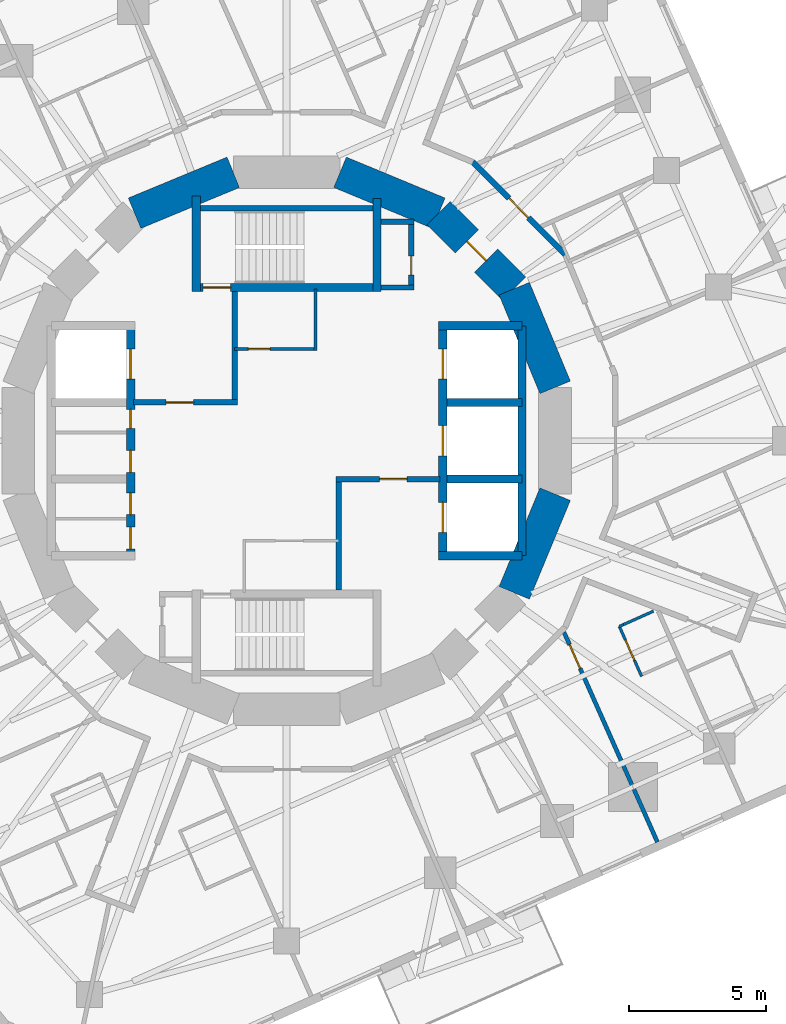
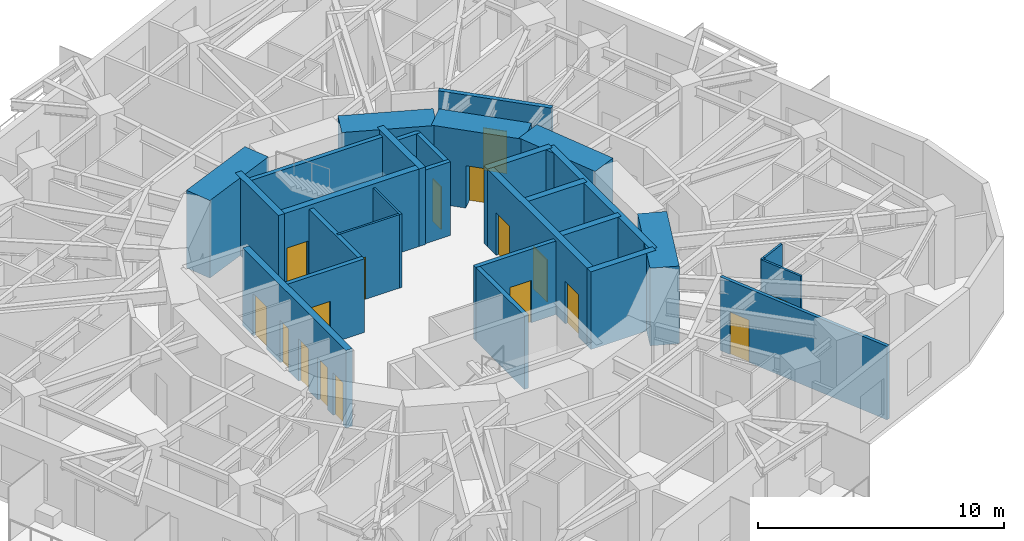
# One storey, part 7 of 12: 30 walls, 17 doors, 17 openings.
"""IFC4 building model written with IfcOpenShell, lengths in metres."""

import ifcopenshell
import ifcopenshell.guid

model = None  # the IFC model being written
_history = None  # IfcOwnerHistory: only IFC2X3 demands one
_inside = {}  # id of a spatial element -> (the spatial element, [elements in it])
_under = {}  # id of a project, library or spatial element -> (it, [spatial elements below it])
_declared = {}  # id of a project -> (the project, [libraries it declares])
_typed = {}  # id of a type object -> (the type object, [elements of that type])
_made_of = {}  # id of a material, layer set ... -> (it, [elements and type objects made of it])


def new_model(schema):
    """Start an empty IFC model of exactly this schema.

    Asked for "IFC4X3", IfcOpenShell would pick the latest addendum, in which some entities
    have other attributes; the version numbers below select the first issue.
    IFC2X3 requires an IfcOwnerHistory on every rooted entity: one is made here for all.
    """
    global model, _history
    if schema == "IFC4X3":
        model = ifcopenshell.file(schema_version=(4, 3, 0, 0))
    else:
        model = ifcopenshell.file(schema=schema)
    _inside.clear()
    _under.clear()
    _declared.clear()
    _typed.clear()
    _made_of.clear()
    _history = None
    if model.schema == "IFC2X3":
        org = make("IfcOrganization", Name="unknown")
        user = make(
            "IfcPersonAndOrganization",
            ThePerson=make("IfcPerson", FamilyName="unknown"),
            TheOrganization=org,
        )
        app = make(
            "IfcApplication",
            ApplicationDeveloper=org,
            Version="unknown",
            ApplicationFullName="unknown",
            ApplicationIdentifier="unknown",
        )
        _history = make(
            "IfcOwnerHistory",
            OwningUser=user,
            OwningApplication=app,
            ChangeAction="ADDED",
            CreationDate=0,
        )
    return model


def make(cls, **values):
    """One entity of the class cls with the attributes given. An attribute that is None is left unset."""
    return model.create_entity(
        cls, **{name: value for name, value in values.items() if value is not None}
    )


def rooted(cls, **values):
    """An entity with a GlobalId (a new one), such as an element, a storey or a relation."""
    return make(cls, GlobalId=ifcopenshell.guid.new(), OwnerHistory=_history, **values)


def si_unit(unit_type, name, prefix=None):
    """IfcSIUnit, for example si_unit("LENGTHUNIT", "METRE", prefix="MILLI")."""
    return make("IfcSIUnit", UnitType=unit_type, Prefix=prefix, Name=name)


def assignment(units):
    """IfcUnitAssignment: the units of a project."""
    return None if units is None else make("IfcUnitAssignment", Units=units)


def point(xyz):
    """IfcCartesianPoint."""
    return None if xyz is None else make("IfcCartesianPoint", Coordinates=xyz)


def direction(xyz):
    """IfcDirection."""
    return None if xyz is None else make("IfcDirection", DirectionRatios=xyz)


def frame(location, z_axis=None, x_axis=None):
    """IfcAxis2Placement3D, a coordinate frame: its origin and axes. An axis left out is left unset."""
    return make(
        "IfcAxis2Placement3D",
        Location=point(location),
        Axis=direction(z_axis),
        RefDirection=direction(x_axis),
    )


def frame_2d(location, x_axis=None):
    """IfcAxis2Placement2D, a coordinate frame in the plane: its origin and x axis."""
    return make(
        "IfcAxis2Placement2D", Location=point(location), RefDirection=direction(x_axis)
    )


def origin():
    """The frame at (0, 0, 0) with its axes left unset."""
    return frame((0.0, 0.0, 0.0))


def place(relative_to, where):
    """IfcLocalPlacement: puts the frame where relative to a parent placement (None: the world)."""
    return make(
        "IfcLocalPlacement", PlacementRelTo=relative_to, RelativePlacement=where
    )


def context(
    kind, dimensions, precision=None, world=None, true_north=None, identifier=None
):
    """IfcGeometricRepresentationContext, for example the 3D "Model" context."""
    return make(
        "IfcGeometricRepresentationContext",
        ContextIdentifier=identifier,
        ContextType=kind,
        CoordinateSpaceDimension=dimensions,
        Precision=precision,
        WorldCoordinateSystem=world,
        TrueNorth=true_north,
    )


def subcontext(parent, identifier, kind, view, scale=None):
    """IfcGeometricRepresentationSubContext, for example "Body" below "Model"."""
    return make(
        "IfcGeometricRepresentationSubContext",
        ContextIdentifier=identifier,
        ContextType=kind,
        ParentContext=parent,
        TargetScale=scale,
        TargetView=view,
    )


def project(units=None, contexts=None):
    """IfcProject with its units and contexts."""
    return rooted(
        "IfcProject",
        Name="project",
        RepresentationContexts=contexts,
        UnitsInContext=assignment(units),
    )


def spatial(cls, under=None, at=None, **own):
    """A site, building, storey or space (cls), placed at a placement, below another one or the project."""
    s = rooted(cls, ObjectPlacement=at, **own)
    if under is not None:
        _under.setdefault(under.id(), (under, []))[1].append(s)
    return s


def profile(cls, at=None, kind="AREA", **sizes):
    """A parametric profile (cls). Its sizes go by their IFC names, for example OverallWidth=200.0."""
    return make(cls, ProfileType=kind, Position=at, **sizes)


def rectangle(**sizes):
    """IfcRectangleProfileDef."""
    return profile("IfcRectangleProfileDef", **sizes)


def extrude(swept, where, along, depth):
    """IfcExtrudedAreaSolid: the profile swept, set in the frame where, extruded along a direction by depth."""
    return make(
        "IfcExtrudedAreaSolid",
        SweptArea=swept,
        Position=where,
        ExtrudedDirection=direction(along),
        Depth=depth,
    )


def shape(context_of_items, identifier, shape_type, items):
    """IfcShapeRepresentation: the items that make up one representation, for example the "Body"."""
    return make(
        "IfcShapeRepresentation",
        ContextOfItems=context_of_items,
        RepresentationIdentifier=identifier,
        RepresentationType=shape_type,
        Items=items,
    )


def material(Name=None, Category=None):
    """IfcMaterial."""
    return make("IfcMaterial", Name=Name, Category=Category)


def layer(
    of_material, thickness, ventilated=None, Name=None, Category=None, Priority=None
):
    """IfcMaterialLayer: one layer of a wall or slab, of a material (None: an air gap)."""
    return make(
        "IfcMaterialLayer",
        Material=of_material,
        LayerThickness=thickness,
        IsVentilated=ventilated,
        Name=Name,
        Category=Category,
        Priority=Priority,
    )


def layer_set(layers, Name=None):
    """IfcMaterialLayerSet."""
    return make("IfcMaterialLayerSet", MaterialLayers=layers, LayerSetName=Name)


def made_of(thing, what):
    """Note that an element or type object is made of a material, layer set ...; save() writes the relation."""
    if what is not None:
        _made_of.setdefault(what.id(), (what, []))[1].append(thing)
    return thing


def type_object(cls, material=None, **own):
    """A type object (cls), such as IfcWallType, which elements share."""
    return made_of(rooted(cls, **own), material)


def element(
    cls,
    number,
    at=None,
    inside=None,
    cuts=None,
    type_object=None,
    material=None,
    context=None,
    identifier="Body",
    shape_type=None,
    held_by="IfcProductDefinitionShape",
    body=None,
    shapes=None,
    **own,
):
    """One element of the class cls, such as IfcWall. Its Tag is "e" and its number.

    at: its placement. inside: the storey or other place that contains it. cuts: it is an
    opening in that element (IfcRelVoidsElement). A single representation is given by context,
    identifier, shape_type and body (its items); several are given by shapes. held_by: the class
    of the entity that holds the representations. save() writes the other relations.
    """
    e = rooted(cls, Tag="e%d" % number, ObjectPlacement=at, **own)
    if body is not None:
        shapes = [shape(context, identifier, shape_type, body)]
    if shapes is not None:
        e.Representation = make(held_by, Representations=shapes)
    if inside is not None:
        _inside.setdefault(inside.id(), (inside, []))[1].append(e)
    if cuts is not None:
        rooted(
            "IfcRelVoidsElement", RelatingBuildingElement=cuts, RelatedOpeningElement=e
        )
    if type_object is not None:
        _typed.setdefault(type_object.id(), (type_object, []))[1].append(e)
    return made_of(e, material)


def fill(opening, filler):
    """IfcRelFillsElement: the door or window that sits in an opening."""
    return rooted(
        "IfcRelFillsElement",
        RelatingOpeningElement=opening,
        RelatedBuildingElement=filler,
    )


def aggregate(whole, parts):
    """IfcRelAggregates: a whole, such as a stair, and the parts it consists of."""
    return rooted("IfcRelAggregates", RelatingObject=whole, RelatedObjects=parts)


def save(model, path):
    """Write the relations noted so far, then the file.

    IfcRelAggregates (storeys below a building ...), IfcRelContainedInSpatialStructure (elements
    in a storey), IfcRelDefinesByType, IfcRelAssociatesMaterial and IfcRelDeclares: one each for
    every whole, place, type object, material and project.
    """
    for whole, parts in _under.values():
        aggregate(whole, parts)
    for where, things in _inside.values():
        rooted(
            "IfcRelContainedInSpatialStructure",
            RelatedElements=things,
            RelatingStructure=where,
        )
    for kind, things in _typed.values():
        rooted("IfcRelDefinesByType", RelatedObjects=things, RelatingType=kind)
    for what, things in _made_of.values():
        rooted("IfcRelAssociatesMaterial", RelatedObjects=things, RelatingMaterial=what)
    for by, libraries in _declared.values():
        rooted("IfcRelDeclares", RelatingContext=by, RelatedDefinitions=libraries)
    model.write(path)


model = new_model("IFC4")

# Units and contexts
model_context = context("Model", 3, precision=1e-05, world=origin(), true_north=direction((0.0, 1.0)))
body_context = subcontext(model_context, "Body", "Model", "MODEL_VIEW")
ifc_project = project(units=[si_unit("LENGTHUNIT", "METRE"), si_unit("AREAUNIT", "SQUARE_METRE"), si_unit("VOLUMEUNIT", "CUBIC_METRE"), si_unit("PLANEANGLEUNIT", "RADIAN"), si_unit("MASSUNIT", "GRAM", prefix="KILO")], contexts=[model_context])

# Site, building, storey
site_placement = place(None, origin())
site = spatial("IfcSite", under=ifc_project, at=site_placement, CompositionType="ELEMENT")
building_placement = place(site_placement, origin())
building = spatial("IfcBuilding", under=site, at=building_placement, Name="Nakasero Lantern House", CompositionType="ELEMENT")
storey_placement = place(building_placement, frame((0.0, 0.0, 186.300048828125)))
storey = spatial("IfcBuildingStorey", under=building, at=storey_placement, Name="L45", CompositionType="ELEMENT", Elevation=186.300048828125)

# Wall, openings, doors
ifc_material_1 = material(Name="Concrete C50/60", Category="concrete")
ifc_layer_1 = layer(ifc_material_1, 0.300048828125)
ifc_layer_set_1 = layer_set([ifc_layer_1], Name="Core inner wall 300")
wall_type_1 = type_object("IfcWallType", Name="Core inner wall 300", PredefinedType="SHEAR", material=ifc_layer_set_1)
wall_1_placement = place(storey_placement, frame((-5.699951171875, -4.199951171875, 0.0), z_axis=(0.0, 0.0, 1.0), x_axis=(0.0, 1.0, 0.0)))
wall_1 = element("IfcWall", 1, at=wall_1_placement, inside=storey, type_object=wall_type_1, Name="Core inner wall L45 LW", PredefinedType="SHEAR", context=body_context, shape_type="SweptSolid", body=[
    extrude(rectangle(XDim=8.39990234375, YDim=0.300048828125, at=frame_2d((4.199951171875, 0.0))), origin(), (0.0, 0.0, 1.0), 3.849853515625),
])
opening_1_placement = place(wall_1_placement, frame((0.25, 0.0, 0.0)))
opening_1 = element("IfcOpeningElement", 2, at=opening_1_placement, cuts=wall_1, Name="Opening D15", PredefinedType="OPENING", context=body_context, shape_type="SweptSolid", body=[
    extrude(rectangle(XDim=0.800048828125, YDim=2.10009765625, at=frame_2d((0.39990234375, 1.050048828125))), frame((0.0, 0.169921875, 0.0), z_axis=(0.0, -1.0, 0.0), x_axis=(1.0, 0.0, 0.0)), (0.0, 0.0, 1.0), 0.340087890625),
])
opening_2_placement = place(wall_1_placement, frame((1.5, 0.0, 0.0)))
opening_2 = element("IfcOpeningElement", 3, at=opening_2_placement, cuts=wall_1, Name="Opening D15", PredefinedType="OPENING", context=body_context, shape_type="SweptSolid", body=[
    extrude(rectangle(XDim=0.800048828125, YDim=2.10009765625, at=frame_2d((0.39990234375, 1.050048828125))), frame((0.0, 0.169921875, 0.0), z_axis=(0.0, -1.0, 0.0), x_axis=(1.0, 0.0, 0.0)), (0.0, 0.0, 1.0), 0.340087890625),
])
opening_3_placement = place(wall_1_placement, frame((3.050048828125, 0.0, 0.0)))
opening_3 = element("IfcOpeningElement", 4, at=opening_3_placement, cuts=wall_1, Name="Opening D15", PredefinedType="OPENING", context=body_context, shape_type="SweptSolid", body=[
    extrude(rectangle(XDim=0.800048828125, YDim=2.10009765625, at=frame_2d((0.39990234375, 1.050048828125))), frame((0.0, 0.169921875, 0.0), z_axis=(0.0, -1.0, 0.0), x_axis=(1.0, 0.0, 0.0)), (0.0, 0.0, 1.0), 0.340087890625),
])
opening_4_placement = place(wall_1_placement, frame((4.64990234375, 0.0, 0.0)))
opening_4 = element("IfcOpeningElement", 5, at=opening_4_placement, cuts=wall_1, Name="Opening D20", PredefinedType="OPENING", context=body_context, shape_type="SweptSolid", body=[
    extrude(rectangle(XDim=0.699951171875, YDim=2.10009765625, at=frame_2d((0.35009765625, 1.050048828125))), frame((0.0, 0.169921875, 0.0), z_axis=(0.0, -1.0, 0.0), x_axis=(1.0, 0.0, 0.0)), (0.0, 0.0, 1.0), 0.340087890625),
])
opening_5_placement = place(wall_1_placement, frame((6.449951171875, 0.0, 0.0)))
opening_5 = element("IfcOpeningElement", 6, at=opening_5_placement, cuts=wall_1, Name="Opening LD", PredefinedType="OPENING", context=body_context, shape_type="SweptSolid", body=[
    extrude(rectangle(XDim=1.10009765625, YDim=2.10009765625, at=frame_2d((0.550048828125, 1.050048828125))), frame((0.0, 0.169921875, 0.0), z_axis=(0.0, -1.0, 0.0), x_axis=(1.0, 0.0, 0.0)), (0.0, 0.0, 1.0), 0.340087890625),
])
ifc_material_2 = material(Name="Timber C24", Category="wood")
door_type_1 = type_object("IfcDoorType", Name="Cleaner's store door FD30S 700", OperationType="SINGLE_SWING_LEFT", PredefinedType="DOOR", material=ifc_material_2)
door_1_placement = place(opening_4_placement, origin())
door_1 = element("IfcDoor", 7, at=door_1_placement, inside=storey, type_object=door_type_1, Name="Door L45 D-SH-LW2b", OperationType="SINGLE_SWING_RIGHT", OverallHeight=2.10009765625, OverallWidth=0.699951171875, PredefinedType="DOOR", context=body_context, shape_type="SweptSolid", body=[
    extrude(rectangle(XDim=0.699951171875, YDim=2.10009765625, at=frame_2d((0.35009765625, 1.050048828125))), frame((0.0, 0.02490234375, 0.0), z_axis=(0.0, -1.0, 0.0), x_axis=(1.0, 0.0, 0.0)), (0.0, 0.0, 1.0), 0.050048828125),
])
fill(opening_4, door_1)
ifc_material_3 = material(Name="Timber C24", Category="wood")
door_type_2 = type_object("IfcDoorType", Name="Cleaner's store door FD30S 800", OperationType="SINGLE_SWING_LEFT", PredefinedType="DOOR", material=ifc_material_3)
door_2_placement = place(opening_1_placement, origin())
door_2 = element("IfcDoor", 8, at=door_2_placement, inside=storey, type_object=door_type_2, Name="Door L45 D-SH-LW1a", OperationType="SINGLE_SWING_LEFT", OverallHeight=2.10009765625, OverallWidth=0.800048828125, PredefinedType="DOOR", context=body_context, shape_type="SweptSolid", body=[
    extrude(rectangle(XDim=0.800048828125, YDim=2.10009765625, at=frame_2d((0.39990234375, 1.050048828125))), frame((0.0, 0.02490234375, 0.0), z_axis=(0.0, -1.0, 0.0), x_axis=(1.0, 0.0, 0.0)), (0.0, 0.0, 1.0), 0.050048828125),
])
fill(opening_1, door_2)
door_3_placement = place(opening_2_placement, origin())
door_3 = element("IfcDoor", 9, at=door_3_placement, inside=storey, type_object=door_type_2, Name="Door L45 D-SH-LW1b", OperationType="SINGLE_SWING_LEFT", OverallHeight=2.10009765625, OverallWidth=0.800048828125, PredefinedType="DOOR", context=body_context, shape_type="SweptSolid", body=[
    extrude(rectangle(XDim=0.800048828125, YDim=2.10009765625, at=frame_2d((0.39990234375, 1.050048828125))), frame((0.0, 0.02490234375, 0.0), z_axis=(0.0, -1.0, 0.0), x_axis=(1.0, 0.0, 0.0)), (0.0, 0.0, 1.0), 0.050048828125),
])
fill(opening_2, door_3)
door_4_placement = place(opening_3_placement, origin())
door_4 = element("IfcDoor", 10, at=door_4_placement, inside=storey, type_object=door_type_2, Name="Door L45 D-SH-LW2a", OperationType="SINGLE_SWING_LEFT", OverallHeight=2.10009765625, OverallWidth=0.800048828125, PredefinedType="DOOR", context=body_context, shape_type="SweptSolid", body=[
    extrude(rectangle(XDim=0.800048828125, YDim=2.10009765625, at=frame_2d((0.39990234375, 1.050048828125))), frame((0.0, 0.02490234375, 0.0), z_axis=(0.0, -1.0, 0.0), x_axis=(1.0, 0.0, 0.0)), (0.0, 0.0, 1.0), 0.050048828125),
])
fill(opening_3, door_4)
ifc_material_4 = material(Name="Steel S355", Category="steel")
door_type_3 = type_object("IfcDoorType", Name="Lift landing door E120 1100", OperationType="SLIDING_TO_LEFT", PredefinedType="DOOR", material=ifc_material_4)
door_5_placement = place(opening_5_placement, origin())
door_5 = element("IfcDoor", 11, at=door_5_placement, inside=storey, type_object=door_type_3, Name="Lift landing door LW3", OperationType="SLIDING_TO_LEFT", OverallHeight=2.10009765625, OverallWidth=1.10009765625, PredefinedType="DOOR", context=body_context, shape_type="SweptSolid", body=[
    extrude(rectangle(XDim=1.10009765625, YDim=2.10009765625, at=frame_2d((0.550048828125, 1.050048828125))), frame((0.0, 0.02490234375, 0.0), z_axis=(0.0, -1.0, 0.0), x_axis=(1.0, 0.0, 0.0)), (0.0, 0.0, 1.0), 0.050048828125),
])
fill(opening_5, door_5)

wall_2_placement = place(storey_placement, frame((5.699951171875, -4.199951171875, 0.0), z_axis=(0.0, 0.0, 1.0), x_axis=(0.0, 1.0, 0.0)))
wall_2 = element("IfcWall", 12, at=wall_2_placement, inside=storey, type_object=wall_type_1, Name="Core inner wall L45 LE", PredefinedType="SHEAR", context=body_context, shape_type="SweptSolid", body=[
    extrude(rectangle(XDim=8.39990234375, YDim=0.300048828125, at=frame_2d((4.199951171875, 0.0))), origin(), (0.0, 0.0, 1.0), 3.849853515625),
])
opening_6_placement = place(wall_2_placement, frame((0.85009765625, 0.0, 0.0)))
opening_6 = element("IfcOpeningElement", 13, at=opening_6_placement, cuts=wall_2, Name="Opening LD", PredefinedType="OPENING", context=body_context, shape_type="SweptSolid", body=[
    extrude(rectangle(XDim=1.10009765625, YDim=2.10009765625, at=frame_2d((0.550048828125, 1.050048828125))), frame((0.0, 0.169921875, 0.0), z_axis=(0.0, -1.0, 0.0), x_axis=(1.0, 0.0, 0.0)), (0.0, 0.0, 1.0), 0.340087890625),
])
opening_7_placement = place(wall_2_placement, frame((3.64990234375, 0.0, 0.0)))
opening_7 = element("IfcOpeningElement", 14, at=opening_7_placement, cuts=wall_2, Name="Opening LD", PredefinedType="OPENING", context=body_context, shape_type="SweptSolid", body=[
    extrude(rectangle(XDim=1.10009765625, YDim=2.10009765625, at=frame_2d((0.550048828125, 1.050048828125))), frame((0.0, 0.169921875, 0.0), z_axis=(0.0, -1.0, 0.0), x_axis=(1.0, 0.0, 0.0)), (0.0, 0.0, 1.0), 0.340087890625),
])
opening_8_placement = place(wall_2_placement, frame((6.449951171875, 0.0, 0.0)))
opening_8 = element("IfcOpeningElement", 15, at=opening_8_placement, cuts=wall_2, Name="Opening LD", PredefinedType="OPENING", context=body_context, shape_type="SweptSolid", body=[
    extrude(rectangle(XDim=1.10009765625, YDim=2.10009765625, at=frame_2d((0.550048828125, 1.050048828125))), frame((0.0, 0.169921875, 0.0), z_axis=(0.0, -1.0, 0.0), x_axis=(1.0, 0.0, 0.0)), (0.0, 0.0, 1.0), 0.340087890625),
])
door_6_placement = place(opening_6_placement, origin())
door_6 = element("IfcDoor", 16, at=door_6_placement, inside=storey, type_object=door_type_3, Name="Lift landing door LE1", OperationType="SLIDING_TO_LEFT", OverallHeight=2.10009765625, OverallWidth=1.10009765625, PredefinedType="DOOR", context=body_context, shape_type="SweptSolid", body=[
    extrude(rectangle(XDim=1.10009765625, YDim=2.10009765625, at=frame_2d((0.550048828125, 1.050048828125))), frame((0.0, 0.02490234375, 0.0), z_axis=(0.0, -1.0, 0.0), x_axis=(1.0, 0.0, 0.0)), (0.0, 0.0, 1.0), 0.050048828125),
])
fill(opening_6, door_6)
door_7_placement = place(opening_7_placement, origin())
door_7 = element("IfcDoor", 17, at=door_7_placement, inside=storey, type_object=door_type_3, Name="Lift landing door LE2", OperationType="SLIDING_TO_LEFT", OverallHeight=2.10009765625, OverallWidth=1.10009765625, PredefinedType="DOOR", context=body_context, shape_type="SweptSolid", body=[
    extrude(rectangle(XDim=1.10009765625, YDim=2.10009765625, at=frame_2d((0.550048828125, 1.050048828125))), frame((0.0, 0.02490234375, 0.0), z_axis=(0.0, -1.0, 0.0), x_axis=(1.0, 0.0, 0.0)), (0.0, 0.0, 1.0), 0.050048828125),
])
fill(opening_7, door_7)
door_8_placement = place(opening_8_placement, origin())
door_8 = element("IfcDoor", 18, at=door_8_placement, inside=storey, type_object=door_type_3, Name="Lift landing door LE3", OperationType="SLIDING_TO_LEFT", OverallHeight=2.10009765625, OverallWidth=1.10009765625, PredefinedType="DOOR", context=body_context, shape_type="SweptSolid", body=[
    extrude(rectangle(XDim=1.10009765625, YDim=2.10009765625, at=frame_2d((0.550048828125, 1.050048828125))), frame((0.0, 0.02490234375, 0.0), z_axis=(0.0, -1.0, 0.0), x_axis=(1.0, 0.0, 0.0)), (0.0, 0.0, 1.0), 0.050048828125),
])
fill(opening_8, door_8)

# Walls
for number, where, z_axis, x_axis, name in (
    (19, (5.550048828125, 4.199951171875, 0.0), (0.0, 0.0, 1.0), (1.0, 0.0, 0.0), "Core inner wall L45 LEN"),
    (20, (5.550048828125, -4.199951171875, 0.0), (0.0, 0.0, 1.0), (1.0, 0.0, 0.0), "Core inner wall L45 LES"),
):
    element("IfcWall", number, at=place(storey_placement, frame(where, z_axis=z_axis, x_axis=x_axis)), inside=storey, type_object=wall_type_1, Name=name, PredefinedType="SHEAR", context=body_context, shape_type="SweptSolid", body=[
        extrude(rectangle(XDim=3.050048828125, YDim=0.300048828125, at=frame_2d((1.52490234375, 0.0))), origin(), (0.0, 0.0, 1.0), 3.849853515625),
    ])
wall_3_placement = place(storey_placement, frame((8.60009765625, -4.199951171875, 0.0), z_axis=(0.0, 0.0, 1.0), x_axis=(0.0, 1.0, 0.0)))
element("IfcWall", 21, at=wall_3_placement, inside=storey, type_object=wall_type_1, Name="Core inner wall L45 LEB", PredefinedType="SHEAR", context=body_context, shape_type="SweptSolid", body=[
    extrude(rectangle(XDim=8.39990234375, YDim=0.300048828125, at=frame_2d((4.199951171875, 0.0))), origin(), (0.0, 0.0, 1.0), 3.849853515625),
])
for number, where, z_axis, x_axis, name in (
    (22, (5.85009765625, -1.39990234375, 0.0), (0.0, 0.0, 1.0), (1.0, 0.0, 0.0), "Core inner wall L45 LE1"),
    (23, (5.85009765625, 1.39990234375, 0.0), (0.0, 0.0, 1.0), (1.0, 0.0, 0.0), "Core inner wall L45 LE2"),
):
    element("IfcWall", number, at=place(storey_placement, frame(where, z_axis=z_axis, x_axis=x_axis)), inside=storey, type_object=wall_type_1, Name=name, PredefinedType="SHEAR", context=body_context, shape_type="SweptSolid", body=[
        extrude(rectangle(XDim=2.75, YDim=0.300048828125, at=frame_2d((1.375, 0.0))), origin(), (0.0, 0.0, 1.0), 3.849853515625),
    ])

# Wall, opening, door
wall_4_placement = place(storey_placement, frame((-3.449951171875, 5.60009765625, 0.0), z_axis=(0.0, 0.0, 1.0), x_axis=(1.0, 0.0, 0.0)))
wall_4 = element("IfcWall", 24, at=wall_4_placement, inside=storey, type_object=wall_type_1, Name="Core inner wall L45 SN", PredefinedType="SHEAR", context=body_context, shape_type="SweptSolid", body=[
    extrude(rectangle(XDim=6.89990234375, YDim=0.300048828125, at=frame_2d((3.449951171875, 0.0))), origin(), (0.0, 0.0, 1.0), 3.849853515625),
])
opening_9_placement = place(wall_4_placement, frame((0.39990234375, 0.0, 0.0)))
opening_9 = element("IfcOpeningElement", 25, at=opening_9_placement, cuts=wall_4, Name="Opening D05", PredefinedType="OPENING", context=body_context, shape_type="SweptSolid", body=[
    extrude(rectangle(XDim=1.0, YDim=2.10009765625, at=frame_2d((0.5, 1.050048828125))), frame((0.0, 0.169921875, 0.0), z_axis=(0.0, -1.0, 0.0), x_axis=(1.0, 0.0, 0.0)), (0.0, 0.0, 1.0), 0.340087890625),
])
ifc_material_5 = material(Name="Timber C24", Category="wood")
door_type_4 = type_object("IfcDoorType", Name="Core door FD60S 1000", OperationType="SINGLE_SWING_LEFT", PredefinedType="DOOR", material=ifc_material_5)
door_9_placement = place(opening_9_placement, origin())
door_9 = element("IfcDoor", 26, at=door_9_placement, inside=storey, type_object=door_type_4, Name="Door L45 D-ST1", OperationType="SINGLE_SWING_LEFT", OverallHeight=2.10009765625, OverallWidth=1.0, PredefinedType="DOOR", context=body_context, shape_type="SweptSolid", body=[
    extrude(rectangle(XDim=1.0, YDim=2.10009765625, at=frame_2d((0.5, 1.050048828125))), frame((0.0, 0.02490234375, 0.0), z_axis=(0.0, -1.0, 0.0), x_axis=(1.0, 0.0, 0.0)), (0.0, 0.0, 1.0), 0.050048828125),
])
fill(opening_9, door_9)

# Walls
wall_5_placement = place(storey_placement, frame((-3.300048828125, 5.449951171875, 0.0), z_axis=(0.0, 0.0, 1.0), x_axis=(0.0, 1.0, 0.0)))
element("IfcWall", 27, at=wall_5_placement, inside=storey, type_object=wall_type_1, Name="Core inner wall L45 SNW", PredefinedType="SHEAR", context=body_context, shape_type="SweptSolid", body=[
    extrude(rectangle(XDim=3.5, YDim=0.300048828125, at=frame_2d((1.75, 0.0))), origin(), (0.0, 0.0, 1.0), 3.849853515625),
])
wall_6_placement = place(storey_placement, frame((3.300048828125, 5.449951171875, 0.0), z_axis=(0.0, 0.0, 1.0), x_axis=(0.0, 1.0, 0.0)))
element("IfcWall", 28, at=wall_6_placement, inside=storey, type_object=wall_type_1, Name="Core inner wall L45 SNE", PredefinedType="SHEAR", context=body_context, shape_type="SweptSolid", body=[
    extrude(rectangle(XDim=3.400146484375, YDim=0.300048828125, at=frame_2d((1.7001953125, 0.0))), origin(), (0.0, 0.0, 1.0), 3.849853515625),
])

# Wall, opening, door
ifc_material_6 = material(Name="Blockwork", Category="masonry")
ifc_layer_2 = layer(ifc_material_6, 0.10009765625)
ifc_layer_set_2 = layer_set([ifc_layer_2], Name="Core room wall 100")
wall_type_2 = type_object("IfcWallType", Name="Core room wall 100", PredefinedType="PARTITIONING", material=ifc_layer_set_2)
wall_7_placement = place(storey_placement, frame((-1.89990234375, 3.35009765625, 0.0), z_axis=(0.0, 0.0, 1.0), x_axis=(1.0, 0.0, 0.0)))
wall_7 = element("IfcWall", 29, at=wall_7_placement, inside=storey, type_object=wall_type_2, Name="Core room wall L45 CR-NES", PredefinedType="PARTITIONING", context=body_context, shape_type="SweptSolid", body=[
    extrude(rectangle(XDim=3.0, YDim=0.10009765625, at=frame_2d((1.5, 0.0))), origin(), (0.0, 0.0, 1.0), 3.64990234375),
])
opening_10_placement = place(wall_7_placement, frame((0.5, 0.0, 0.0)))
opening_10 = element("IfcOpeningElement", 30, at=opening_10_placement, cuts=wall_7, Name="Opening D15", PredefinedType="OPENING", context=body_context, shape_type="SweptSolid", body=[
    extrude(rectangle(XDim=0.800048828125, YDim=2.10009765625, at=frame_2d((0.39990234375, 1.050048828125))), frame((0.0, 0.070068359375, 0.0), z_axis=(0.0, -1.0, 0.0), x_axis=(1.0, 0.0, 0.0)), (0.0, 0.0, 1.0), 0.14013671875),
])
door_10_placement = place(opening_10_placement, origin())
door_10 = element("IfcDoor", 31, at=door_10_placement, inside=storey, type_object=door_type_2, Name="Door L45 D-CR-NE", OperationType="SINGLE_SWING_LEFT", OverallHeight=2.10009765625, OverallWidth=0.800048828125, PredefinedType="DOOR", context=body_context, shape_type="SweptSolid", body=[
    extrude(rectangle(XDim=0.800048828125, YDim=2.10009765625, at=frame_2d((0.39990234375, 1.050048828125))), frame((0.0, 0.02490234375, 0.0), z_axis=(0.0, -1.0, 0.0), x_axis=(1.0, 0.0, 0.0)), (0.0, 0.0, 1.0), 0.050048828125),
])
fill(opening_10, door_10)

# Walls
wall_8_placement = place(storey_placement, frame((1.050048828125, 3.300048828125, 0.0), z_axis=(0.0, 0.0, 1.0), x_axis=(0.0, 1.0, 0.0)))
element("IfcWall", 32, at=wall_8_placement, inside=storey, type_object=wall_type_2, Name="Core room wall L45 CR-NEE", PredefinedType="PARTITIONING", context=body_context, shape_type="SweptSolid", body=[
    extrude(rectangle(XDim=2.25, YDim=0.10009765625, at=frame_2d((1.125, 0.0))), origin(), (0.0, 0.0, 1.0), 3.64990234375),
])
ifc_material_7 = material(Name="Concrete C50/60", Category="concrete")
ifc_layer_3 = layer(ifc_material_7, 1.199951171875)
ifc_layer_set_3 = layer_set([ifc_layer_3], Name="Core wall 1200")
wall_type_3 = type_object("IfcWallType", Name="Core wall 1200", PredefinedType="SHEAR", material=ifc_layer_set_3)
wall_9_placement = place(storey_placement, frame((9.807861328125, 1.950927734375, 0.0), z_axis=(0.0, 0.0, 1.0), x_axis=(-0.382690736062, 0.923876507187, 0.0)))
element("IfcWall", 33, at=wall_9_placement, inside=storey, type_object=wall_type_3, Name="Core wall L45 facet 1", PredefinedType="SHEAR", context=body_context, shape_type="SweptSolid", body=[
    extrude(rectangle(XDim=3.90185546875, YDim=1.199951171875, at=frame_2d((1.950927734375, 0.0))), origin(), (0.0, 0.0, 1.0), 3.849853515625),
])

# Wall, opening, door
wall_10_placement = place(storey_placement, frame((8.314697265625, 5.5556640625, 0.0), z_axis=(0.0, 0.0, 1.0), x_axis=(-0.707106781187, 0.707106781187, 0.0)))
wall_10 = element("IfcWall", 34, at=wall_10_placement, inside=storey, type_object=wall_type_3, Name="Core wall L45 facet 2", PredefinedType="SHEAR", context=body_context, shape_type="SweptSolid", body=[
    extrude(rectangle(XDim=3.90185546875, YDim=1.199951171875, at=frame_2d((1.950927734375, 0.0))), origin(), (0.0, 0.0, 1.0), 3.849853515625),
])
opening_11_placement = place(wall_10_placement, frame((1.450927734375, 0.0, 0.0)))
opening_11 = element("IfcOpeningElement", 35, at=opening_11_placement, cuts=wall_10, Name="Opening D05", PredefinedType="OPENING", context=body_context, shape_type="SweptSolid", body=[
    extrude(rectangle(XDim=1.0, YDim=2.10009765625, at=frame_2d((0.5, 1.050048828125))), frame((0.0, 0.619873046875, 0.0), z_axis=(0.0, -1.0, 0.0), x_axis=(1.0, 0.0, 0.0)), (0.0, 0.0, 1.0), 1.239990234375),
])
door_11_placement = place(opening_11_placement, origin())
door_11 = element("IfcDoor", 36, at=door_11_placement, inside=storey, type_object=door_type_4, Name="Door L45 D-CORE02", OperationType="SINGLE_SWING_LEFT", OverallHeight=2.10009765625, OverallWidth=1.0, PredefinedType="DOOR", context=body_context, shape_type="SweptSolid", body=[
    extrude(rectangle(XDim=1.0, YDim=2.10009765625, at=frame_2d((0.5, 1.050048828125))), frame((0.0, 0.02490234375, 0.0), z_axis=(0.0, -1.0, 0.0), x_axis=(1.0, 0.0, 0.0)), (0.0, 0.0, 1.0), 0.050048828125),
])
fill(opening_11, door_11)

# Walls
for number, where, z_axis, x_axis, name in (
    (37, (5.5556640625, 8.314697265625, 0.0), (0.0, 0.0, 1.0), (-0.923876507187, 0.382690736062, 0.0), "Core wall L45 facet 3"),
    (38, (-1.950927734375, 9.807861328125, 0.0), (0.0, 0.0, 1.0), (-0.923876507187, -0.382690736062, 0.0), "Core wall L45 facet 5"),
    (39, (8.314697265625, -5.5556640625, 0.0), (0.0, 0.0, 1.0), (0.382690736062, 0.923876507187, 0.0), "Core wall L45 facet 15"),
):
    element("IfcWall", number, at=place(storey_placement, frame(where, z_axis=z_axis, x_axis=x_axis)), inside=storey, type_object=wall_type_3, Name=name, PredefinedType="SHEAR", context=body_context, shape_type="SweptSolid", body=[
        extrude(rectangle(XDim=3.90185546875, YDim=1.199951171875, at=frame_2d((1.950927734375, 0.0))), origin(), (0.0, 0.0, 1.0), 3.849853515625),
    ])

# Wall, opening, door
ifc_material_8 = material(Name="Blockwork", Category="masonry")
ifc_layer_4 = layer(ifc_material_8, 0.199951171875)
ifc_layer_set_4 = layer_set([ifc_layer_4], Name="Corridor wall 200")
wall_type_4 = type_object("IfcWallType", Name="Corridor wall 200", PredefinedType="PARTITIONING", material=ifc_layer_set_4)
wall_11_placement = place(storey_placement, frame((6.802001953125, 10.1796875, 0.0), z_axis=(0.0, 0.0, 1.0), x_axis=(0.707106781187, -0.707106781187, 0.0)))
wall_11 = element("IfcWall", 40, at=wall_11_placement, inside=storey, type_object=wall_type_4, Name="Corridor wall L45 RC14a", PredefinedType="PARTITIONING", context=body_context, shape_type="SweptSolid", body=[
    extrude(rectangle(XDim=4.77685546875, YDim=0.199951171875, at=frame_2d((2.388427734375, 0.0))), origin(), (0.0, 0.0, 1.0), 3.64990234375),
])
opening_12_placement = place(wall_11_placement, frame((1.8701171875, 0.0, 0.0)))
opening_12 = element("IfcOpeningElement", 41, at=opening_12_placement, cuts=wall_11, Name="Opening D14", PredefinedType="OPENING", context=body_context, shape_type="SweptSolid", body=[
    extrude(rectangle(XDim=1.0, YDim=2.10009765625, at=frame_2d((0.5, 1.050048828125))), frame((0.0, 0.119873046875, 0.0), z_axis=(0.0, -1.0, 0.0), x_axis=(1.0, 0.0, 0.0)), (0.0, 0.0, 1.0), 0.239990234375),
])
ifc_material_9 = material(Name="Timber C24", Category="wood")
door_type_5 = type_object("IfcDoorType", Name="Cluster entrance door FD30S 1000", OperationType="SINGLE_SWING_LEFT", PredefinedType="DOOR", material=ifc_material_9)
door_12_placement = place(opening_12_placement, origin())
door_12 = element("IfcDoor", 42, at=door_12_placement, inside=storey, type_object=door_type_5, Name="Door L45 D0-04", OperationType="SINGLE_SWING_LEFT", OverallHeight=2.10009765625, OverallWidth=1.0, PredefinedType="DOOR", context=body_context, shape_type="SweptSolid", body=[
    extrude(rectangle(XDim=1.0, YDim=2.10009765625, at=frame_2d((0.5, 1.050048828125))), frame((0.0, 0.02490234375, 0.0), z_axis=(0.0, -1.0, 0.0), x_axis=(1.0, 0.0, 0.0)), (0.0, 0.0, 1.0), 0.050048828125),
])
fill(opening_12, door_12)

ifc_material_10 = material(Name="Blockwork", Category="masonry")
ifc_layer_5 = layer(ifc_material_10, 0.10009765625)
ifc_layer_set_5 = layer_set([ifc_layer_5], Name="En-suite wall 100")
wall_type_5 = type_object("IfcWallType", Name="En-suite wall 100", PredefinedType="PARTITIONING", material=ifc_layer_set_5)
wall_12_placement = place(storey_placement, frame((12.153564453125, -6.78125, 0.0), z_axis=(0.0, 0.0, 1.0), x_axis=(0.406772684097, -0.913529410294, 0.0)))
wall_12 = element("IfcWall", 43, at=wall_12_placement, inside=storey, type_object=wall_type_5, Name="En-suite wall L45 ES3-05", PredefinedType="PARTITIONING", context=body_context, shape_type="SweptSolid", body=[
    extrude(rectangle(XDim=1.999755859375, YDim=0.10009765625, at=frame_2d((1.0, 0.0))), origin(), (0.0, 0.0, 1.0), 3.64990234375),
])
opening_13_placement = place(wall_12_placement, frame((0.550048828125, 0.0, 0.0)))
opening_13 = element("IfcOpeningElement", 44, at=opening_13_placement, cuts=wall_12, Name="Opening D02", PredefinedType="OPENING", context=body_context, shape_type="SweptSolid", body=[
    extrude(rectangle(XDim=0.800048828125, YDim=2.10009765625, at=frame_2d((0.39990234375, 1.050048828125))), frame((0.0, 0.070068359375, 0.0), z_axis=(0.0, -1.0, 0.0), x_axis=(1.0, 0.0, 0.0)), (0.0, 0.0, 1.0), 0.14013671875),
])
ifc_material_11 = material(Name="Timber C24", Category="wood")
door_type_6 = type_object("IfcDoorType", Name="En-suite door 800", OperationType="SINGLE_SWING_RIGHT", PredefinedType="DOOR", material=ifc_material_11)
door_13_placement = place(opening_13_placement, origin())
door_13 = element("IfcDoor", 45, at=door_13_placement, inside=storey, type_object=door_type_6, Name="Door L45 DE3-05", OperationType="SINGLE_SWING_LEFT", OverallHeight=2.10009765625, OverallWidth=0.800048828125, PredefinedType="DOOR", context=body_context, shape_type="SweptSolid", body=[
    extrude(rectangle(XDim=0.800048828125, YDim=2.10009765625, at=frame_2d((0.39990234375, 1.050048828125))), frame((0.0, 0.02490234375, 0.0), z_axis=(0.0, -1.0, 0.0), x_axis=(1.0, 0.0, 0.0)), (0.0, 0.0, 1.0), 0.050048828125),
])
fill(opening_13, door_13)

# Walls
wall_13_placement = place(storey_placement, frame((13.400634765625, -6.225830078125, 0.0), z_axis=(0.0, 0.0, 1.0), x_axis=(-0.913544055495, -0.406739792336, 0.0)))
element("IfcWall", 46, at=wall_13_placement, inside=storey, type_object=wall_type_5, Name="En-suite wall L45 EX003", PredefinedType="PARTITIONING", context=body_context, shape_type="SweptSolid", body=[
    extrude(rectangle(XDim=1.205322265625, YDim=0.10009765625, at=frame_2d((0.6025390625, 0.0))), origin(), (0.0, 0.0, 1.0), 3.64990234375),
])
wall_14_placement = place(storey_placement, frame((12.153564453125, -6.78125, 0.0), z_axis=(0.0, 0.0, 1.0), x_axis=(0.913117581485, 0.407696311466, 0.0)))
element("IfcWall", 47, at=wall_14_placement, inside=storey, type_object=wall_type_5, Name="En-suite wall L45 ES3-05R0", PredefinedType="PARTITIONING", context=body_context, shape_type="SweptSolid", body=[
    extrude(rectangle(XDim=0.159912109375, YDim=0.10009765625, at=frame_2d((0.080078125, 0.0))), origin(), (0.0, 0.0, 1.0), 3.64990234375),
])

# Wall, opening, door
ifc_material_12 = material(Name="Blockwork", Category="masonry")
ifc_layer_6 = layer(ifc_material_12, 0.199951171875)
ifc_layer_set_6 = layer_set([ifc_layer_6], Name="Fire lobby wall 200")
wall_type_6 = type_object("IfcWallType", Name="Fire lobby wall 200", PredefinedType="PARTITIONING", material=ifc_layer_set_6)
wall_15_placement = place(storey_placement, frame((-5.60009765625, 1.39990234375, 0.0), z_axis=(0.0, 0.0, 1.0), x_axis=(1.0, 0.0, 0.0)))
wall_15 = element("IfcWall", 48, at=wall_15_placement, inside=storey, type_object=wall_type_6, Name="Fire lobby wall L45 W-FL1S", PredefinedType="PARTITIONING", context=body_context, shape_type="SweptSolid", body=[
    extrude(rectangle(XDim=3.800048828125, YDim=0.199951171875, at=frame_2d((1.89990234375, 0.0))), origin(), (0.0, 0.0, 1.0), 3.64990234375),
])
opening_14_placement = place(wall_15_placement, frame((1.199951171875, 0.0, 0.0)))
opening_14 = element("IfcOpeningElement", 49, at=opening_14_placement, cuts=wall_15, Name="Opening D05", PredefinedType="OPENING", context=body_context, shape_type="SweptSolid", body=[
    extrude(rectangle(XDim=1.0, YDim=2.10009765625, at=frame_2d((0.5, 1.050048828125))), frame((0.0, 0.119873046875, 0.0), z_axis=(0.0, -1.0, 0.0), x_axis=(1.0, 0.0, 0.0)), (0.0, 0.0, 1.0), 0.239990234375),
])
door_14_placement = place(opening_14_placement, origin())
door_14 = element("IfcDoor", 50, at=door_14_placement, inside=storey, type_object=door_type_4, Name="Door L45 D-FL1", OperationType="SINGLE_SWING_LEFT", OverallHeight=2.10009765625, OverallWidth=1.0, PredefinedType="DOOR", context=body_context, shape_type="SweptSolid", body=[
    extrude(rectangle(XDim=1.0, YDim=2.10009765625, at=frame_2d((0.5, 1.050048828125))), frame((0.0, 0.02490234375, 0.0), z_axis=(0.0, -1.0, 0.0), x_axis=(1.0, 0.0, 0.0)), (0.0, 0.0, 1.0), 0.050048828125),
])
fill(opening_14, door_14)

# Wall
wall_16_placement = place(storey_placement, frame((-1.89990234375, 1.5, 0.0), z_axis=(0.0, 0.0, 1.0), x_axis=(0.0, 1.0, 0.0)))
element("IfcWall", 51, at=wall_16_placement, inside=storey, type_object=wall_type_6, Name="Fire lobby wall L45 W-FL1E", PredefinedType="PARTITIONING", context=body_context, shape_type="SweptSolid", body=[
    extrude(rectangle(XDim=3.949951171875, YDim=0.199951171875, at=frame_2d((1.97509765625, 0.0))), origin(), (0.0, 0.0, 1.0), 3.64990234375),
])

# Wall, opening, door
wall_17_placement = place(storey_placement, frame((5.60009765625, -1.39990234375, 0.0), z_axis=(0.0, 0.0, 1.0), x_axis=(-1.0, 0.0, 0.0)))
wall_17 = element("IfcWall", 52, at=wall_17_placement, inside=storey, type_object=wall_type_6, Name="Fire lobby wall L45 W-FL2N", PredefinedType="PARTITIONING", context=body_context, shape_type="SweptSolid", body=[
    extrude(rectangle(XDim=3.800048828125, YDim=0.199951171875, at=frame_2d((1.89990234375, 0.0))), origin(), (0.0, 0.0, 1.0), 3.64990234375),
])
opening_15_placement = place(wall_17_placement, frame((1.199951171875, 0.0, 0.0)))
opening_15 = element("IfcOpeningElement", 53, at=opening_15_placement, cuts=wall_17, Name="Opening D05", PredefinedType="OPENING", context=body_context, shape_type="SweptSolid", body=[
    extrude(rectangle(XDim=1.0, YDim=2.10009765625, at=frame_2d((0.5, 1.050048828125))), frame((0.0, 0.119873046875, 0.0), z_axis=(0.0, -1.0, 0.0), x_axis=(1.0, 0.0, 0.0)), (0.0, 0.0, 1.0), 0.239990234375),
])
door_15_placement = place(opening_15_placement, origin())
door_15 = element("IfcDoor", 54, at=door_15_placement, inside=storey, type_object=door_type_4, Name="Door L45 D-FL2", OperationType="SINGLE_SWING_LEFT", OverallHeight=2.10009765625, OverallWidth=1.0, PredefinedType="DOOR", context=body_context, shape_type="SweptSolid", body=[
    extrude(rectangle(XDim=1.0, YDim=2.10009765625, at=frame_2d((0.5, 1.050048828125))), frame((0.0, 0.02490234375, 0.0), z_axis=(0.0, -1.0, 0.0), x_axis=(1.0, 0.0, 0.0)), (0.0, 0.0, 1.0), 0.050048828125),
])
fill(opening_15, door_15)

# Wall
wall_18_placement = place(storey_placement, frame((1.89990234375, -1.5, 0.0), z_axis=(0.0, 0.0, 1.0), x_axis=(0.0, -1.0, 0.0)))
element("IfcWall", 55, at=wall_18_placement, inside=storey, type_object=wall_type_6, Name="Fire lobby wall L45 W-FL2W", PredefinedType="PARTITIONING", context=body_context, shape_type="SweptSolid", body=[
    extrude(rectangle(XDim=3.949951171875, YDim=0.199951171875, at=frame_2d((1.97509765625, 0.0))), origin(), (0.0, 0.0, 1.0), 3.64990234375),
])

# Wall, opening, door
wall_19_placement = place(storey_placement, frame((4.550048828125, 5.60009765625, 0.0), z_axis=(0.0, 0.0, 1.0), x_axis=(0.0, 1.0, 0.0)))
wall_19 = element("IfcWall", 56, at=wall_19_placement, inside=storey, type_object=wall_type_6, Name="Fire lobby wall L45 W-RS1E", PredefinedType="PARTITIONING", context=body_context, shape_type="SweptSolid", body=[
    extrude(rectangle(XDim=2.39990234375, YDim=0.199951171875, at=frame_2d((1.199951171875, 0.0))), origin(), (0.0, 0.0, 1.0), 3.64990234375),
])
opening_16_placement = place(wall_19_placement, frame((0.449951171875, 0.0, 0.0)))
opening_16 = element("IfcOpeningElement", 57, at=opening_16_placement, cuts=wall_19, Name="Opening D06", PredefinedType="OPENING", context=body_context, shape_type="SweptSolid", body=[
    extrude(rectangle(XDim=0.699951171875, YDim=2.10009765625, at=frame_2d((0.35009765625, 1.050048828125))), frame((0.0, 0.119873046875, 0.0), z_axis=(0.0, -1.0, 0.0), x_axis=(1.0, 0.0, 0.0)), (0.0, 0.0, 1.0), 0.239990234375),
])
ifc_material_13 = material(Name="Steel S355", Category="steel")
door_type_7 = type_object("IfcDoorType", Name="Riser door FD60 700", OperationType="SINGLE_SWING_LEFT", PredefinedType="DOOR", material=ifc_material_13)
door_16_placement = place(opening_16_placement, origin())
door_16 = element("IfcDoor", 58, at=door_16_placement, inside=storey, type_object=door_type_7, Name="Door L45 D-RS1", OperationType="SINGLE_SWING_LEFT", OverallHeight=2.10009765625, OverallWidth=0.699951171875, PredefinedType="DOOR", context=body_context, shape_type="SweptSolid", body=[
    extrude(rectangle(XDim=0.699951171875, YDim=2.10009765625, at=frame_2d((0.35009765625, 1.050048828125))), frame((0.0, 0.02490234375, 0.0), z_axis=(0.0, -1.0, 0.0), x_axis=(1.0, 0.0, 0.0)), (0.0, 0.0, 1.0), 0.050048828125),
])
fill(opening_16, door_16)

# Walls
for number, where, z_axis, x_axis, name in (
    (59, (3.449951171875, 8.0, 0.0), (0.0, 0.0, 1.0), (1.0, 0.0, 0.0), "Fire lobby wall L45 W-RS1N"),
    (60, (3.449951171875, 5.60009765625, 0.0), (0.0, 0.0, 1.0), (1.0, 0.0, 0.0), "Fire lobby wall L45 W-RS1S"),
):
    element("IfcWall", number, at=place(storey_placement, frame(where, z_axis=z_axis, x_axis=x_axis)), inside=storey, type_object=wall_type_6, Name=name, PredefinedType="PARTITIONING", context=body_context, shape_type="SweptSolid", body=[
        extrude(rectangle(XDim=1.199951171875, YDim=0.199951171875, at=frame_2d((0.60009765625, 0.0))), origin(), (0.0, 0.0, 1.0), 3.64990234375),
    ])
wall_20_placement = place(storey_placement, frame((-3.300048828125, 8.5, 0.0), z_axis=(0.0, 0.0, 1.0), x_axis=(1.0, 0.0, 0.0)))
element("IfcWall", 61, at=wall_20_placement, inside=storey, type_object=wall_type_6, Name="Fire lobby wall L45 W-STN", PredefinedType="PARTITIONING", context=body_context, shape_type="SweptSolid", body=[
    extrude(rectangle(XDim=6.60009765625, YDim=0.199951171875, at=frame_2d((3.300048828125, 0.0))), origin(), (0.0, 0.0, 1.0), 3.64990234375),
])

# Wall, opening, door
ifc_material_14 = material(Name="Blockwork", Category="masonry")
ifc_layer_7 = layer(ifc_material_14, 0.14990234375)
ifc_layer_set_7 = layer_set([ifc_layer_7], Name="Party wall 150")
wall_type_7 = type_object("IfcWallType", Name="Party wall 150", PredefinedType="PARTITIONING", material=ifc_layer_set_7)
wall_21_placement = place(storey_placement, frame((10.130615234375, -6.99267578125, 0.0), z_axis=(0.0, 0.0, 1.0), x_axis=(0.406732255089, -0.913547411288, 0.0)))
wall_21 = element("IfcWall", 62, at=wall_21_placement, inside=storey, type_object=wall_type_7, Name="Party wall L45 PW3-05", PredefinedType="PARTITIONING", context=body_context, shape_type="SweptSolid", body=[
    extrude(rectangle(XDim=8.3916015625, YDim=0.14990234375, at=frame_2d((4.19580078125, 0.0))), origin(), (0.0, 0.0, 1.0), 3.64990234375),
])
opening_17_placement = place(wall_21_placement, frame((0.5, 0.0, 0.0)))
opening_17 = element("IfcOpeningElement", 63, at=opening_17_placement, cuts=wall_21, Name="Opening D01", PredefinedType="OPENING", context=body_context, shape_type="SweptSolid", body=[
    extrude(rectangle(XDim=0.949951171875, YDim=2.10009765625, at=frame_2d((0.47509765625, 1.050048828125))), frame((0.0, 0.094970703125, 0.0), z_axis=(0.0, -1.0, 0.0), x_axis=(1.0, 0.0, 0.0)), (0.0, 0.0, 1.0), 0.18994140625),
])
ifc_material_15 = material(Name="Timber C24", Category="wood")
door_type_8 = type_object("IfcDoorType", Name="Bedroom door FD30S 950", OperationType="SINGLE_SWING_LEFT", PredefinedType="DOOR", material=ifc_material_15)
door_17_placement = place(opening_17_placement, origin())
door_17 = element("IfcDoor", 64, at=door_17_placement, inside=storey, type_object=door_type_8, Name="Door L45 DS3-05", OperationType="SINGLE_SWING_LEFT", OverallHeight=2.10009765625, OverallWidth=0.949951171875, PredefinedType="DOOR", context=body_context, shape_type="SweptSolid", body=[
    extrude(rectangle(XDim=0.949951171875, YDim=2.10009765625, at=frame_2d((0.47509765625, 1.050048828125))), frame((0.0, 0.02490234375, 0.0), z_axis=(0.0, -1.0, 0.0), x_axis=(1.0, 0.0, 0.0)), (0.0, 0.0, 1.0), 0.050048828125),
])
fill(opening_17, door_17)

save(model, "model.ifc")
